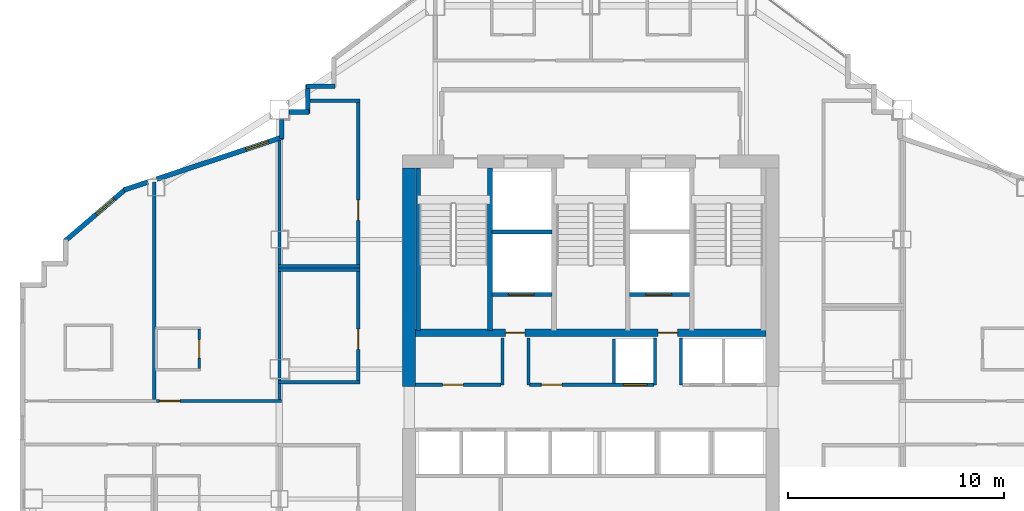
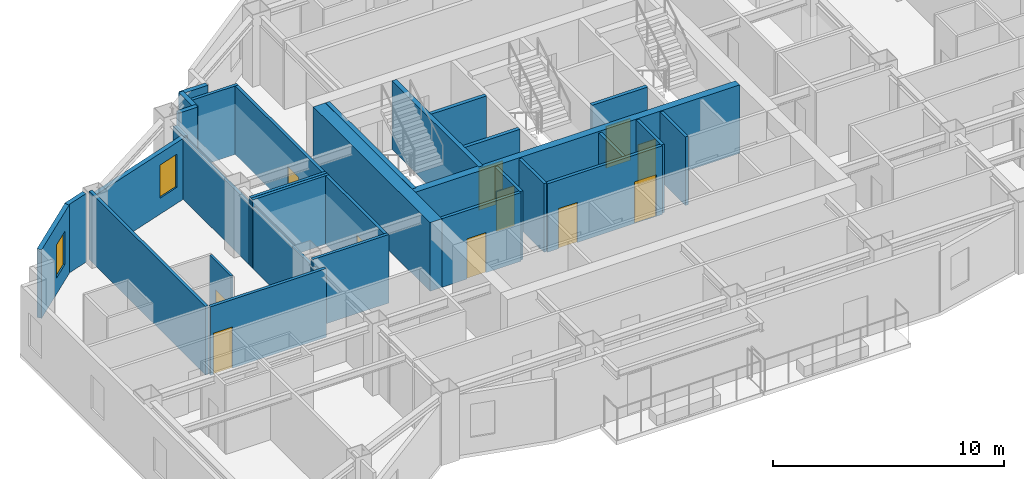
# One storey, part 6 of 12: 33 walls, 11 doors, 2 windows, 13 openings.
"""IFC4 building model written with IfcOpenShell, lengths in metres."""

from ifc_helpers import new_model, si_unit, direction, frame, frame_2d, origin, place, context, subcontext, project, spatial, rectangle, extrude, material, layer, layer_set, type_object, element, fill, save


model = new_model("IFC4")

# Units and contexts
model_context = context("Model", 3, precision=1e-05, world=origin(), true_north=direction((0.0, 1.0)))
body_context = subcontext(model_context, "Body", "Model", "MODEL_VIEW")
ifc_project = project(units=[si_unit("LENGTHUNIT", "METRE"), si_unit("AREAUNIT", "SQUARE_METRE"), si_unit("VOLUMEUNIT", "CUBIC_METRE"), si_unit("PLANEANGLEUNIT", "RADIAN"), si_unit("MASSUNIT", "GRAM", prefix="KILO")], contexts=[model_context])

# Site, building, storey
site_placement = place(None, origin())
site = spatial("IfcSite", under=ifc_project, at=site_placement, CompositionType="ELEMENT")
building_placement = place(site_placement, origin())
building = spatial("IfcBuilding", under=site, at=building_placement, Name="Haolan Belvedere Tower", CompositionType="ELEMENT")
storey_placement = place(building_placement, frame((0.0, 0.0, 169.0)))
storey = spatial("IfcBuildingStorey", under=building, at=storey_placement, Name="L42", CompositionType="ELEMENT", Elevation=169.0)

# Walls
ifc_material_1 = material(Name="Concrete C60/75", Category="concrete")
ifc_layer_1 = layer(ifc_material_1, 0.60009765625, Name="Concrete C60/75")
ifc_layer_set_1 = layer_set([ifc_layer_1], Name="Concrete C60/75")
wall_type_1 = type_object("IfcWallType", Name="WL-CORE-600", PredefinedType="SHEAR", material=ifc_layer_set_1)
wall_1_placement = place(storey_placement, frame((30.0, 32.800048828125, 0.0), z_axis=(0.0, 0.0, 1.0), x_axis=(0.0, 1.0, 0.0)))
element("IfcWall", 1, at=wall_1_placement, inside=storey, type_object=wall_type_1, Name="L42 central core shear wall WN", PredefinedType="SHEAR", context=body_context, shape_type="SweptSolid", body=[
    extrude(rectangle(XDim=10.099853515625, YDim=0.60009765625, at=frame_2d((5.0498046875, 0.0))), origin(), (0.0, 0.0, 1.0), 3.6201171875),
])
ifc_material_2 = material(Name="Precast concrete C40/50", Category="concrete")
ifc_layer_2 = layer(ifc_material_2, 0.219970703125, Name="Precast concrete C40/50")
ifc_layer_set_2 = layer_set([ifc_layer_2], Name="Precast concrete C40/50")
wall_type_2 = type_object("IfcWallType", Name="WL-EXT-220", PredefinedType="SOLIDWALL", material=ifc_layer_set_2)
for number, where, z_axis, x_axis, name in (
    (2, (26.56494140625, 46.68994140625, 0.0), (0.0, 0.0, 1.0), (-1.0, 0.0, 0.0), "L42 pale-metal exterior spandrel wall 25.1"),
    (3, (25.31005859375, 46.7451171875, 0.0), (0.0, 0.0, 1.0), (0.0, -1.0, 0.0), "L42 pale-metal exterior spandrel wall 26.1"),
):
    element("IfcWall", number, at=place(storey_placement, frame(where, z_axis=z_axis, x_axis=x_axis)), inside=storey, type_object=wall_type_2, Name=name, PredefinedType="SOLIDWALL", context=body_context, shape_type="SweptSolid", body=[
        extrude(rectangle(XDim=1.31005859375, YDim=0.219970703125, at=frame_2d((0.655029296875, 0.0))), origin(), (0.0, 0.0, 1.0), 3.6201171875),
    ])
wall_2_placement = place(storey_placement, frame((25.364990234375, 45.489990234375, 0.0), z_axis=(0.0, 0.0, 1.0), x_axis=(-1.0, 0.0, 0.0)))
element("IfcWall", 4, at=wall_2_placement, inside=storey, type_object=wall_type_2, Name="L42 pale-metal exterior spandrel wall 27.1", PredefinedType="SOLIDWALL", context=body_context, shape_type="SweptSolid", body=[
    extrude(rectangle(XDim=0.923095703125, YDim=0.219970703125, at=frame_2d((0.46142578125, 0.0))), origin(), (0.0, 0.0, 1.0), 3.6201171875),
])
wall_3_placement = place(storey_placement, frame((24.110107421875, 45.157958984375, 0.0), z_axis=(0.0, 0.0, 1.0), x_axis=(0.0, -1.0, 0.0)))
element("IfcWall", 5, at=wall_3_placement, inside=storey, type_object=wall_type_2, Name="L42 pale-metal exterior spandrel wall 28.1", PredefinedType="SOLIDWALL", context=body_context, shape_type="SweptSolid", body=[
    extrude(rectangle(XDim=0.892333984375, YDim=0.219970703125, at=frame_2d((0.4462890625, 0.0))), origin(), (0.0, 0.0, 1.0), 3.215087890625),
])

# Wall, opening, window
wall_4_placement = place(storey_placement, frame((24.162109375, 44.338134765625, 0.0), z_axis=(0.0, 0.0, 1.0), x_axis=(-0.948687265055, -0.316215864755, 0.0)))
wall_4 = element("IfcWall", 6, at=wall_4_placement, inside=storey, type_object=wall_type_2, Name="L42 pale-metal exterior spandrel wall 29.1", PredefinedType="SOLIDWALL", context=body_context, shape_type="SweptSolid", body=[
    extrude(rectangle(XDim=6.154052734375, YDim=0.219970703125, at=frame_2d((3.0771484375, 0.0))), origin(), (0.0, 0.0, 1.0), 3.215087890625),
])
opening_1_placement = place(wall_4_placement, frame((0.699951171875, 0.0, 0.85009765625)))
opening_1 = element("IfcOpeningElement", 7, at=opening_1_placement, cuts=wall_4, Name="Opening W-03", PredefinedType="OPENING", context=body_context, shape_type="SweptSolid", body=[
    extrude(rectangle(XDim=1.10009765625, YDim=1.75, at=frame_2d((0.550048828125, 0.875))), frame((0.0, 0.119873046875, 0.0), z_axis=(0.0, -1.0, 0.0), x_axis=(1.0, 0.0, 0.0)), (0.0, 0.0, 1.0), 0.239990234375),
])
ifc_material_3 = material(Name="Anodised aluminium 6063-T6 and Low-E glass", Category="aluminium")
window_type = type_object("IfcWindowType", Name="WN-DECO-Z3", PartitioningType="SINGLE_PANEL", PredefinedType="WINDOW", material=ifc_material_3)
window_1_placement = place(opening_1_placement, origin())
window_1 = element("IfcWindow", 8, at=window_1_placement, inside=storey, type_object=window_type, Name="L42 Art Deco chevron window 1", OverallHeight=1.75, OverallWidth=1.10009765625, PartitioningType="SINGLE_PANEL", PredefinedType="WINDOW", context=body_context, shape_type="SweptSolid", body=[
    extrude(rectangle(XDim=1.10009765625, YDim=1.75, at=frame_2d((0.550048828125, 0.875))), frame((0.0, 0.030029296875, 0.0), z_axis=(0.0, -1.0, 0.0), x_axis=(1.0, 0.0, 0.0)), (0.0, 0.0, 1.0), 0.06005859375),
])
fill(opening_1, window_1)

# Wall
wall_5_placement = place(storey_placement, frame((17.907958984375, 42.25341796875, 0.0), z_axis=(0.0, 0.0, 1.0), x_axis=(-0.948662335685, -0.316290646166, 0.0)))
element("IfcWall", 9, at=wall_5_placement, inside=storey, type_object=wall_type_2, Name="L42 pale-metal exterior spandrel wall 29.2", PredefinedType="SOLIDWALL", context=body_context, shape_type="SweptSolid", body=[
    extrude(rectangle(XDim=1.164794921875, YDim=0.219970703125, at=frame_2d((0.58251953125, 0.0))), origin(), (0.0, 0.0, 1.0), 3.6201171875),
])

# Wall, opening, window
wall_6_placement = place(storey_placement, frame((16.89697265625, 41.938232421875, 0.0), z_axis=(0.0, 0.0, 1.0), x_axis=(-0.759279729622, -0.650764390686, 0.0)))
wall_6 = element("IfcWall", 10, at=wall_6_placement, inside=storey, type_object=wall_type_2, Name="L42 pale-metal exterior spandrel wall 30.1", PredefinedType="SOLIDWALL", context=body_context, shape_type="SweptSolid", body=[
    extrude(rectangle(XDim=3.725830078125, YDim=0.219970703125, at=frame_2d((1.86279296875, 0.0))), origin(), (0.0, 0.0, 1.0), 3.6201171875),
])
opening_2_placement = place(wall_6_placement, frame((0.699951171875, 0.0, 0.85009765625)))
opening_2 = element("IfcOpeningElement", 11, at=opening_2_placement, cuts=wall_6, Name="Opening W-03", PredefinedType="OPENING", context=body_context, shape_type="SweptSolid", body=[
    extrude(rectangle(XDim=1.10009765625, YDim=1.75, at=frame_2d((0.550048828125, 0.875))), frame((0.0, 0.119873046875, 0.0), z_axis=(0.0, -1.0, 0.0), x_axis=(1.0, 0.0, 0.0)), (0.0, 0.0, 1.0), 0.239990234375),
])
window_2_placement = place(opening_2_placement, origin())
window_2 = element("IfcWindow", 12, at=window_2_placement, inside=storey, type_object=window_type, Name="L42 Art Deco chevron window 1", OverallHeight=1.75, OverallWidth=1.10009765625, PartitioningType="SINGLE_PANEL", PredefinedType="WINDOW", context=body_context, shape_type="SweptSolid", body=[
    extrude(rectangle(XDim=1.10009765625, YDim=1.75, at=frame_2d((0.550048828125, 0.875))), frame((0.0, 0.030029296875, 0.0), z_axis=(0.0, -1.0, 0.0), x_axis=(1.0, 0.0, 0.0)), (0.0, 0.0, 1.0), 0.06005859375),
])
fill(opening_2, window_2)

# Walls
ifc_material_4 = material(Name="Double gypsum acoustic stud partition", Category="masonry")
ifc_layer_3 = layer(ifc_material_4, 0.14990234375, Name="Double gypsum acoustic stud partition")
ifc_layer_set_3 = layer_set([ifc_layer_3], Name="Double gypsum acoustic stud partition")
wall_type_3 = type_object("IfcWallType", Name="WL-PART-150", PredefinedType="PARTITIONING", material=ifc_layer_set_3)
for number, where, z_axis, x_axis, name in (
    (13, (23.919921875, 38.199951171875, 0.0), (0.0, 0.0, 1.0), (1.0, 0.0, 0.0), "L42 interior partition IW-L42-HSK-N"),
    (14, (23.919921875, 33.0, 0.0), (0.0, 0.0, 1.0), (1.0, 0.0, 0.0), "L42 interior partition IW-L42-HSK-S"),
):
    element("IfcWall", number, at=place(storey_placement, frame(where, z_axis=z_axis, x_axis=x_axis)), inside=storey, type_object=wall_type_3, Name=name, PredefinedType="PARTITIONING", context=body_context, shape_type="SweptSolid", body=[
        extrude(rectangle(XDim=3.800048828125, YDim=0.14990234375, at=frame_2d((1.89990234375, 0.0))), origin(), (0.0, 0.0, 1.0), 3.6201171875),
    ])
wall_7_placement = place(storey_placement, frame((24.0, 33.06005859375, 0.0), z_axis=(0.0, 0.0, 1.0), x_axis=(0.0, 1.0, 0.0)))
element("IfcWall", 15, at=wall_7_placement, inside=storey, type_object=wall_type_3, Name="L42 interior partition IW-L42-HSK-W", PredefinedType="PARTITIONING", context=body_context, shape_type="SweptSolid", body=[
    extrude(rectangle(XDim=5.079833984375, YDim=0.14990234375, at=frame_2d((2.5400390625, 0.0))), origin(), (0.0, 0.0, 1.0), 3.215087890625),
])

# Wall, opening, door
wall_8_placement = place(storey_placement, frame((27.639892578125, 33.06005859375, 0.0), z_axis=(0.0, 0.0, 1.0), x_axis=(0.0, 1.0, 0.0)))
wall_8 = element("IfcWall", 16, at=wall_8_placement, inside=storey, type_object=wall_type_3, Name="L42 interior partition IW-L42-HSK-E", PredefinedType="PARTITIONING", context=body_context, shape_type="SweptSolid", body=[
    extrude(rectangle(XDim=5.079833984375, YDim=0.14990234375, at=frame_2d((2.5400390625, 0.0))), origin(), (0.0, 0.0, 1.0), 3.6201171875),
])
opening_3_placement = place(wall_8_placement, frame((2.409912109375, 0.0, 0.0), z_axis=(0.0, 0.0, 1.0), x_axis=(-1.0, 0.0, 0.0)))
opening_3 = element("IfcOpeningElement", 17, at=opening_3_placement, cuts=wall_8, Name="Opening ID-03", PredefinedType="OPENING", context=body_context, shape_type="SweptSolid", body=[
    extrude(rectangle(XDim=0.949951171875, YDim=2.1201171875, at=frame_2d((0.47509765625, 1.06005859375))), frame((0.0, 0.0849609375, 0.0), z_axis=(0.0, -1.0, 0.0), x_axis=(1.0, 0.0, 0.0)), (0.0, 0.0, 1.0), 0.169921875),
])
ifc_material_5 = material(Name="Painted solid-core timber", Category="wood")
door_type_1 = type_object("IfcDoorType", Name="DR-INT-950", OperationType="NOTDEFINED", PredefinedType="DOOR", material=ifc_material_5)
door_1_placement = place(opening_3_placement, origin())
door_1 = element("IfcDoor", 18, at=door_1_placement, inside=storey, type_object=door_type_1, Name="L42 door ID-L42-HSK", OperationType="SINGLE_SWING_LEFT", OverallHeight=2.1201171875, OverallWidth=0.949951171875, PredefinedType="DOOR", context=body_context, shape_type="SweptSolid", body=[
    extrude(rectangle(XDim=0.949951171875, YDim=2.1201171875, at=frame_2d((0.47509765625, 1.06005859375))), frame((0.0, 0.02490234375, 0.0), z_axis=(0.0, -1.0, 0.0), x_axis=(1.0, 0.0, 0.0)), (0.0, 0.0, 1.0), 0.050048828125),
])
fill(opening_3, door_1)

# Walls
wall_9_placement = place(storey_placement, frame((25.412109375, 46.02001953125, 0.0), z_axis=(0.0, 0.0, 1.0), x_axis=(1.0, 0.0, 0.0)))
element("IfcWall", 19, at=wall_9_placement, inside=storey, type_object=wall_type_3, Name="L42 interior partition IW-L42-VLT-N", PredefinedType="PARTITIONING", context=body_context, shape_type="SweptSolid", body=[
    extrude(rectangle(XDim=2.307861328125, YDim=0.14990234375, at=frame_2d((1.15380859375, 0.0))), origin(), (0.0, 0.0, 1.0), 3.6201171875),
])
wall_10_placement = place(storey_placement, frame((23.919921875, 38.360107421875, 0.0), z_axis=(0.0, 0.0, 1.0), x_axis=(1.0, 0.0, 0.0)))
element("IfcWall", 20, at=wall_10_placement, inside=storey, type_object=wall_type_3, Name="L42 interior partition IW-L42-VLT-S", PredefinedType="PARTITIONING", context=body_context, shape_type="SweptSolid", body=[
    extrude(rectangle(XDim=3.800048828125, YDim=0.14990234375, at=frame_2d((1.89990234375, 0.0))), origin(), (0.0, 0.0, 1.0), 3.6201171875),
])
wall_11_placement = place(storey_placement, frame((24.0, 38.419921875, 0.0), z_axis=(0.0, 0.0, 1.0), x_axis=(0.0, 1.0, 0.0)))
element("IfcWall", 21, at=wall_11_placement, inside=storey, type_object=wall_type_3, Name="L42 interior partition IW-L42-VLT-W", PredefinedType="PARTITIONING", context=body_context, shape_type="SweptSolid", body=[
    extrude(rectangle(XDim=5.756591796875, YDim=0.14990234375, at=frame_2d((2.87841796875, 0.0))), origin(), (0.0, 0.0, 1.0), 3.215087890625),
])

# Wall, opening, door
wall_12_placement = place(storey_placement, frame((27.639892578125, 38.419921875, 0.0), z_axis=(0.0, 0.0, 1.0), x_axis=(0.0, 1.0, 0.0)))
wall_12 = element("IfcWall", 22, at=wall_12_placement, inside=storey, type_object=wall_type_3, Name="L42 interior partition IW-L42-VLT-E", PredefinedType="PARTITIONING", context=body_context, shape_type="SweptSolid", body=[
    extrude(rectangle(XDim=7.5400390625, YDim=0.14990234375, at=frame_2d((3.77001953125, 0.0))), origin(), (0.0, 0.0, 1.0), 3.6201171875),
])
opening_4_placement = place(wall_12_placement, frame((3.010009765625, 0.0, 0.0), z_axis=(0.0, 0.0, 1.0), x_axis=(-1.0, 0.0, 0.0)))
opening_4 = element("IfcOpeningElement", 23, at=opening_4_placement, cuts=wall_12, Name="Opening ID-03", PredefinedType="OPENING", context=body_context, shape_type="SweptSolid", body=[
    extrude(rectangle(XDim=0.949951171875, YDim=2.1201171875, at=frame_2d((0.47509765625, 1.06005859375))), frame((0.0, 0.0849609375, 0.0), z_axis=(0.0, -1.0, 0.0), x_axis=(1.0, 0.0, 0.0)), (0.0, 0.0, 1.0), 0.169921875),
])
door_2_placement = place(opening_4_placement, origin())
door_2 = element("IfcDoor", 24, at=door_2_placement, inside=storey, type_object=door_type_1, Name="L42 door ID-L42-VLT", OperationType="SINGLE_SWING_RIGHT", OverallHeight=2.1201171875, OverallWidth=0.949951171875, PredefinedType="DOOR", context=body_context, shape_type="SweptSolid", body=[
    extrude(rectangle(XDim=0.949951171875, YDim=2.1201171875, at=frame_2d((0.47509765625, 1.06005859375))), frame((0.0, 0.02490234375, 0.0), z_axis=(0.0, -1.0, 0.0), x_axis=(1.0, 0.0, 0.0)), (0.0, 0.0, 1.0), 0.050048828125),
])
fill(opening_4, door_2)

# Wall
wall_13_placement = place(storey_placement, frame((18.2099609375, 32.18994140625, 0.0), z_axis=(0.0, 0.0, 1.0), x_axis=(0.0, 1.0, 0.0)))
element("IfcWall", 25, at=wall_13_placement, inside=storey, type_object=wall_type_3, Name="L42 interior partition IW-L42-T2N1-E", PredefinedType="PARTITIONING", context=body_context, shape_type="SweptSolid", body=[
    extrude(rectangle(XDim=10.056640625, YDim=0.14990234375, at=frame_2d((5.0283203125, 0.0))), origin(), (0.0, 0.0, 1.0), 3.6201171875),
])

# Wall, opening, door
wall_14_placement = place(storey_placement, frame((18.31201171875, 32.1298828125, 0.0), z_axis=(0.0, 0.0, 1.0), x_axis=(1.0, 0.0, 0.0)))
wall_14 = element("IfcWall", 26, at=wall_14_placement, inside=storey, type_object=wall_type_3, Name="L42 interior partition IW-L42-T2N2-S", PredefinedType="PARTITIONING", context=body_context, shape_type="SweptSolid", body=[
    extrude(rectangle(XDim=5.7880859375, YDim=0.14990234375, at=frame_2d((2.89404296875, 0.0))), origin(), (0.0, 0.0, 1.0), 3.6201171875),
])
opening_5_placement = place(wall_14_placement, frame((0.139892578125, 0.0, 0.0)))
opening_5 = element("IfcOpeningElement", 27, at=opening_5_placement, cuts=wall_14, Name="Opening ID-01", PredefinedType="OPENING", context=body_context, shape_type="SweptSolid", body=[
    extrude(rectangle(XDim=0.949951171875, YDim=2.179931640625, at=frame_2d((0.47509765625, 1.08984375))), frame((0.0, 0.0849609375, 0.0), z_axis=(0.0, -1.0, 0.0), x_axis=(1.0, 0.0, 0.0)), (0.0, 0.0, 1.0), 0.169921875),
])
ifc_material_6 = material(Name="Acoustic walnut veneer fire-rated timber", Category="wood")
door_type_2 = type_object("IfcDoorType", Name="DR-SUITE-950", OperationType="NOTDEFINED", PredefinedType="DOOR", material=ifc_material_6)
door_3_placement = place(opening_5_placement, origin())
door_3 = element("IfcDoor", 28, at=door_3_placement, inside=storey, type_object=door_type_2, Name="L42 door ID-L42-T2N2-ENT", OperationType="SINGLE_SWING_LEFT", OverallHeight=2.179931640625, OverallWidth=0.949951171875, PredefinedType="DOOR", context=body_context, shape_type="SweptSolid", body=[
    extrude(rectangle(XDim=0.949951171875, YDim=2.179931640625, at=frame_2d((0.47509765625, 1.08984375))), frame((0.0, 0.02490234375, 0.0), z_axis=(0.0, -1.0, 0.0), x_axis=(1.0, 0.0, 0.0)), (0.0, 0.0, 1.0), 0.050048828125),
])
fill(opening_5, door_3)

# Walls
wall_15_placement = place(storey_placement, frame((24.0, 32.18994140625, 0.0), z_axis=(0.0, 0.0, 1.0), x_axis=(0.0, 1.0, 0.0)))
element("IfcWall", 29, at=wall_15_placement, inside=storey, type_object=wall_type_3, Name="L42 interior partition IW-L42-T2N2-E", PredefinedType="PARTITIONING", context=body_context, shape_type="SweptSolid", body=[
    extrude(rectangle(XDim=0.75, YDim=0.14990234375, at=frame_2d((0.375, 0.0))), origin(), (0.0, 0.0, 1.0), 3.215087890625),
])
ifc_material_7 = material(Name="Gypsum fire shaftwall assembly", Category="masonry")
ifc_layer_4 = layer(ifc_material_7, 0.1650390625, Name="Gypsum fire shaftwall assembly")
ifc_layer_set_4 = layer_set([ifc_layer_4], Name="Gypsum fire shaftwall assembly")
wall_type_4 = type_object("IfcWallType", Name="WL-SHAFT-160", PredefinedType="SOLIDWALL", material=ifc_layer_set_4)
for number, where, z_axis, x_axis, name in (
    (30, (34.31005859375, 32.8798828125, 0.0), (0.0, 0.0, 1.0), (0.0, 1.0, 0.0), "L42 interior partition IW-L42-SVP-W-SV1"),
    (31, (35.510009765625, 32.8798828125, 0.0), (0.0, 0.0, 1.0), (0.0, 1.0, 0.0), "L42 interior partition IW-L42-SVP-E-SV1"),
    (32, (41.3701171875, 32.8798828125, 0.0), (0.0, 0.0, 1.0), (0.0, 1.0, 0.0), "L42 interior partition IW-L42-SVP-W-SV2"),
    (33, (42.570068359375, 32.8798828125, 0.0), (0.0, 0.0, 1.0), (0.0, 1.0, 0.0), "L42 interior partition IW-L42-SVP-E-SV2"),
):
    element("IfcWall", number, at=place(storey_placement, frame(where, z_axis=z_axis, x_axis=x_axis)), inside=storey, type_object=wall_type_4, Name=name, PredefinedType="SOLIDWALL", context=body_context, shape_type="SweptSolid", body=[
        extrude(rectangle(XDim=2.170166015625, YDim=0.14990234375, at=frame_2d((1.0849609375, 0.0))), origin(), (0.0, 0.0, 1.0), 3.6201171875),
    ])

# Wall, opening, door
wall_16_placement = place(storey_placement, frame((30.300048828125, 32.8798828125, 0.0), z_axis=(0.0, 0.0, 1.0), x_axis=(1.0, 0.0, 0.0)))
wall_16 = element("IfcWall", 34, at=wall_16_placement, inside=storey, type_object=wall_type_4, Name="L42 interior partition IW-L42-ROW-PN1", PredefinedType="SOLIDWALL", context=body_context, shape_type="SweptSolid", body=[
    extrude(rectangle(XDim=3.949951171875, YDim=0.159912109375, at=frame_2d((1.97509765625, 0.0))), origin(), (0.0, 0.0, 1.0), 3.6201171875),
])
opening_6_placement = place(wall_16_placement, frame((2.199951171875, 0.0, 0.0), z_axis=(0.0, 0.0, 1.0), x_axis=(-1.0, 0.0, 0.0)))
opening_6 = element("IfcOpeningElement", 35, at=opening_6_placement, cuts=wall_16, Name="Opening ID-03", PredefinedType="OPENING", context=body_context, shape_type="SweptSolid", body=[
    extrude(rectangle(XDim=0.949951171875, YDim=2.1201171875, at=frame_2d((0.47509765625, 1.06005859375))), frame((0.0, 0.08984375, 0.0), z_axis=(0.0, -1.0, 0.0), x_axis=(1.0, 0.0, 0.0)), (0.0, 0.0, 1.0), 0.179931640625),
])
door_4_placement = place(opening_6_placement, origin())
door_4 = element("IfcDoor", 36, at=door_4_placement, inside=storey, type_object=door_type_1, Name="L42 door ID-L42-CD-RPLW", OperationType="SINGLE_SWING_LEFT", OverallHeight=2.1201171875, OverallWidth=0.949951171875, PredefinedType="DOOR", context=body_context, shape_type="SweptSolid", body=[
    extrude(rectangle(XDim=0.949951171875, YDim=2.1201171875, at=frame_2d((0.47509765625, 1.06005859375))), frame((0.0, 0.02490234375, 0.0), z_axis=(0.0, -1.0, 0.0), x_axis=(1.0, 0.0, 0.0)), (0.0, 0.0, 1.0), 0.050048828125),
])
fill(opening_6, door_4)

# Wall, openings, doors
wall_17_placement = place(storey_placement, frame((35.570068359375, 32.8798828125, 0.0), z_axis=(0.0, 0.0, 1.0), x_axis=(1.0, 0.0, 0.0)))
wall_17 = element("IfcWall", 37, at=wall_17_placement, inside=storey, type_object=wall_type_4, Name="L42 interior partition IW-L42-ROW-PN2", PredefinedType="SOLIDWALL", context=body_context, shape_type="SweptSolid", body=[
    extrude(rectangle(XDim=5.739990234375, YDim=0.159912109375, at=frame_2d((2.8701171875, 0.0))), origin(), (0.0, 0.0, 1.0), 3.6201171875),
])
opening_7_placement = place(wall_17_placement, frame((1.489990234375, 0.0, 0.0), z_axis=(0.0, 0.0, 1.0), x_axis=(-1.0, 0.0, 0.0)))
opening_7 = element("IfcOpeningElement", 38, at=opening_7_placement, cuts=wall_17, Name="Opening ID-03", PredefinedType="OPENING", context=body_context, shape_type="SweptSolid", body=[
    extrude(rectangle(XDim=0.949951171875, YDim=2.1201171875, at=frame_2d((0.47509765625, 1.06005859375))), frame((0.0, 0.08984375, 0.0), z_axis=(0.0, -1.0, 0.0), x_axis=(1.0, 0.0, 0.0)), (0.0, 0.0, 1.0), 0.179931640625),
])
opening_8_placement = place(wall_17_placement, frame((5.43017578125, 0.0, 0.0), z_axis=(0.0, 0.0, 1.0), x_axis=(-1.0, 0.0, 0.0)))
opening_8 = element("IfcOpeningElement", 39, at=opening_8_placement, cuts=wall_17, Name="Opening LD-01", PredefinedType="OPENING", context=body_context, shape_type="SweptSolid", body=[
    extrude(rectangle(XDim=1.10009765625, YDim=2.199951171875, at=frame_2d((0.550048828125, 1.10009765625))), frame((0.0, 0.08984375, 0.0), z_axis=(0.0, -1.0, 0.0), x_axis=(1.0, 0.0, 0.0)), (0.0, 0.0, 1.0), 0.179931640625),
])
door_5_placement = place(opening_7_placement, origin())
door_5 = element("IfcDoor", 40, at=door_5_placement, inside=storey, type_object=door_type_1, Name="L42 door ID-L42-CD-RPLE", OperationType="SINGLE_SWING_RIGHT", OverallHeight=2.1201171875, OverallWidth=0.949951171875, PredefinedType="DOOR", context=body_context, shape_type="SweptSolid", body=[
    extrude(rectangle(XDim=0.949951171875, YDim=2.1201171875, at=frame_2d((0.47509765625, 1.06005859375))), frame((0.0, 0.02490234375, 0.0), z_axis=(0.0, -1.0, 0.0), x_axis=(1.0, 0.0, 0.0)), (0.0, 0.0, 1.0), 0.050048828125),
])
fill(opening_7, door_5)
ifc_material_8 = material(Name="Brushed champagne stainless steel 316L", Category="steel")
door_type_3 = type_object("IfcDoorType", Name="DR-LIFT-1100", OperationType="SLIDING_TO_LEFT", PredefinedType="DOOR", material=ifc_material_8)
door_6_placement = place(opening_8_placement, origin())
door_6 = element("IfcDoor", 41, at=door_6_placement, inside=storey, type_object=door_type_3, Name="L42 door ID-L42-LD-PH1", OperationType="SLIDING_TO_RIGHT", OverallHeight=2.199951171875, OverallWidth=1.10009765625, PredefinedType="DOOR", context=body_context, shape_type="SweptSolid", body=[
    extrude(rectangle(XDim=1.10009765625, YDim=2.199951171875, at=frame_2d((0.550048828125, 1.10009765625))), frame((0.0, 0.02490234375, 0.0), z_axis=(0.0, -1.0, 0.0), x_axis=(1.0, 0.0, 0.0)), (0.0, 0.0, 1.0), 0.050048828125),
])
fill(opening_8, door_6)

# Walls
wall_18_placement = place(storey_placement, frame((39.469970703125, 32.949951171875, 0.0), z_axis=(0.0, 0.0, 1.0), x_axis=(0.0, 1.0, 0.0)))
element("IfcWall", 42, at=wall_18_placement, inside=storey, type_object=wall_type_4, Name="L42 interior partition IW-L42-DIV-PL4R", PredefinedType="SOLIDWALL", context=body_context, shape_type="SweptSolid", body=[
    extrude(rectangle(XDim=2.050048828125, YDim=0.14990234375, at=frame_2d((1.02490234375, 0.0))), origin(), (0.0, 0.0, 1.0), 3.6201171875),
])
ifc_layer_5 = layer(ifc_material_2, 0.179931640625, Name="Precast concrete C40/50")
ifc_layer_set_5 = layer_set([ifc_layer_5], Name="Precast concrete C40/50")
wall_type_5 = type_object("IfcWallType", Name="WL-SHAFT-180", PredefinedType="SOLIDWALL", material=ifc_layer_set_5)
wall_19_placement = place(storey_placement, frame((33.8349609375, 39.949951171875, 0.0), z_axis=(0.0, 0.0, 1.0), x_axis=(1.0, 0.0, 0.0)))
element("IfcWall", 43, at=wall_19_placement, inside=storey, type_object=wall_type_5, Name="L42 interior partition IW-L42-FF1-S", PredefinedType="SOLIDWALL", context=body_context, shape_type="SweptSolid", body=[
    extrude(rectangle(XDim=2.77001953125, YDim=0.179931640625, at=frame_2d((1.385009765625, 0.0))), origin(), (0.0, 0.0, 1.0), 3.6201171875),
])

# Wall, opening, door
wall_20_placement = place(storey_placement, frame((33.8349609375, 37.050048828125, 0.0), z_axis=(0.0, 0.0, 1.0), x_axis=(1.0, 0.0, 0.0)))
wall_20 = element("IfcWall", 44, at=wall_20_placement, inside=storey, type_object=wall_type_5, Name="L42 interior partition IW-L42-SV1-S", PredefinedType="SOLIDWALL", context=body_context, shape_type="SweptSolid", body=[
    extrude(rectangle(XDim=2.77001953125, YDim=0.179931640625, at=frame_2d((1.385009765625, 0.0))), origin(), (0.0, 0.0, 1.0), 3.6201171875),
])
opening_9_placement = place(wall_20_placement, frame((1.945068359375, 0.0, 0.0), z_axis=(0.0, 0.0, 1.0), x_axis=(-1.0, 0.0, 0.0)))
opening_9 = element("IfcOpeningElement", 45, at=opening_9_placement, cuts=wall_20, Name="Opening LD-02", PredefinedType="OPENING", context=body_context, shape_type="SweptSolid", body=[
    extrude(rectangle(XDim=1.199951171875, YDim=2.199951171875, at=frame_2d((0.60009765625, 1.10009765625))), frame((0.0, 0.099853515625, 0.0), z_axis=(0.0, -1.0, 0.0), x_axis=(1.0, 0.0, 0.0)), (0.0, 0.0, 1.0), 0.199951171875),
])
door_type_4 = type_object("IfcDoorType", Name="DR-LIFT-1200", OperationType="SLIDING_TO_RIGHT", PredefinedType="DOOR", material=ifc_material_8)
door_7_placement = place(opening_9_placement, origin())
door_7 = element("IfcDoor", 46, at=door_7_placement, inside=storey, type_object=door_type_4, Name="L42 door ID-L42-LD-SV1", OperationType="SLIDING_TO_RIGHT", OverallHeight=2.199951171875, OverallWidth=1.199951171875, PredefinedType="DOOR", context=body_context, shape_type="SweptSolid", body=[
    extrude(rectangle(XDim=1.199951171875, YDim=2.199951171875, at=frame_2d((0.60009765625, 1.10009765625))), frame((0.0, 0.02490234375, 0.0), z_axis=(0.0, -1.0, 0.0), x_axis=(1.0, 0.0, 0.0)), (0.0, 0.0, 1.0), 0.050048828125),
])
fill(opening_9, door_7)

wall_21_placement = place(storey_placement, frame((40.195068359375, 37.050048828125, 0.0), z_axis=(0.0, 0.0, 1.0), x_axis=(1.0, 0.0, 0.0)))
wall_21 = element("IfcWall", 47, at=wall_21_placement, inside=storey, type_object=wall_type_5, Name="L42 interior partition IW-L42-SV2-S", PredefinedType="SOLIDWALL", context=body_context, shape_type="SweptSolid", body=[
    extrude(rectangle(XDim=2.77001953125, YDim=0.179931640625, at=frame_2d((1.385009765625, 0.0))), origin(), (0.0, 0.0, 1.0), 3.6201171875),
])
opening_10_placement = place(wall_21_placement, frame((1.945068359375, 0.0, 0.0), z_axis=(0.0, 0.0, 1.0), x_axis=(-1.0, 0.0, 0.0)))
opening_10 = element("IfcOpeningElement", 48, at=opening_10_placement, cuts=wall_21, Name="Opening LD-02", PredefinedType="OPENING", context=body_context, shape_type="SweptSolid", body=[
    extrude(rectangle(XDim=1.199951171875, YDim=2.199951171875, at=frame_2d((0.60009765625, 1.10009765625))), frame((0.0, 0.099853515625, 0.0), z_axis=(0.0, -1.0, 0.0), x_axis=(1.0, 0.0, 0.0)), (0.0, 0.0, 1.0), 0.199951171875),
])
door_8_placement = place(opening_10_placement, origin())
door_8 = element("IfcDoor", 49, at=door_8_placement, inside=storey, type_object=door_type_4, Name="L42 door ID-L42-LD-SV2", OperationType="SLIDING_TO_RIGHT", OverallHeight=2.199951171875, OverallWidth=1.199951171875, PredefinedType="DOOR", context=body_context, shape_type="SweptSolid", body=[
    extrude(rectangle(XDim=1.199951171875, YDim=2.199951171875, at=frame_2d((0.60009765625, 1.10009765625))), frame((0.0, 0.02490234375, 0.0), z_axis=(0.0, -1.0, 0.0), x_axis=(1.0, 0.0, 0.0)), (0.0, 0.0, 1.0), 0.050048828125),
])
fill(opening_10, door_8)

# Walls
ifc_material_9 = material(Name="Concrete C50/60", Category="concrete")
ifc_layer_6 = layer(ifc_material_9, 0.219970703125, Name="Concrete C50/60")
ifc_layer_set_6 = layer_set([ifc_layer_6], Name="Concrete C50/60")
wall_type_6 = type_object("IfcWallType", Name="WL-STAIR-220", PredefinedType="SHEAR", material=ifc_layer_set_6)
for number, where, z_axis, x_axis, name in (
    (50, (30.412109375, 35.389892578125, 0.0), (0.0, 0.0, 1.0), (0.0, 1.0, 0.0), "L42 structural stair core wall ST1W"),
    (51, (33.739990234375, 35.389892578125, 0.0), (0.0, 0.0, 1.0), (0.0, 1.0, 0.0), "L42 structural stair core wall ST1E"),
):
    element("IfcWall", number, at=place(storey_placement, frame(where, z_axis=z_axis, x_axis=x_axis)), inside=storey, type_object=wall_type_6, Name=name, PredefinedType="SHEAR", context=body_context, shape_type="SweptSolid", body=[
        extrude(rectangle(XDim=7.510009765625, YDim=0.219970703125, at=frame_2d((3.7548828125, 0.0))), origin(), (0.0, 0.0, 1.0), 3.6201171875),
    ])

# Wall, openings, doors
ifc_layer_7 = layer(ifc_material_1, 0.360107421875, Name="Concrete C60/75")
ifc_layer_set_7 = layer_set([ifc_layer_7], Name="Concrete C60/75")
wall_type_7 = type_object("IfcWallType", Name="WL-WEB-350", PredefinedType="SHEAR", material=ifc_layer_set_7)
wall_22_placement = place(storey_placement, frame((30.300048828125, 35.2900390625, 0.0), z_axis=(0.0, 0.0, 1.0), x_axis=(1.0, 0.0, 0.0)))
wall_22 = element("IfcWall", 52, at=wall_22_placement, inside=storey, type_object=wall_type_7, Name="L42 central core internal shear web", PredefinedType="SHEAR", context=body_context, shape_type="SweptSolid", body=[
    extrude(rectangle(XDim=16.199951171875, YDim=0.360107421875, at=frame_2d((8.10009765625, 0.0))), origin(), (0.0, 0.0, 1.0), 3.6201171875),
])
opening_11_placement = place(wall_22_placement, frame((5.0498046875, 0.0, 0.0), z_axis=(0.0, 0.0, 1.0), x_axis=(-1.0, 0.0, 0.0)))
opening_11 = element("IfcOpeningElement", 53, at=opening_11_placement, cuts=wall_22, Name="Opening FD-05", PredefinedType="OPENING", context=body_context, shape_type="SweptSolid", body=[
    extrude(rectangle(XDim=0.89990234375, YDim=2.10009765625, at=frame_2d((0.449951171875, 1.050048828125))), frame((0.0, 0.18994140625, 0.0), z_axis=(0.0, -1.0, 0.0), x_axis=(1.0, 0.0, 0.0)), (0.0, 0.0, 1.0), 0.380126953125),
])
opening_12_placement = place(wall_22_placement, frame((12.10986328125, 0.0, 0.0), z_axis=(0.0, 0.0, 1.0), x_axis=(-1.0, 0.0, 0.0)))
opening_12 = element("IfcOpeningElement", 54, at=opening_12_placement, cuts=wall_22, Name="Opening FD-05", PredefinedType="OPENING", context=body_context, shape_type="SweptSolid", body=[
    extrude(rectangle(XDim=0.89990234375, YDim=2.10009765625, at=frame_2d((0.449951171875, 1.050048828125))), frame((0.0, 0.18994140625, 0.0), z_axis=(0.0, -1.0, 0.0), x_axis=(1.0, 0.0, 0.0)), (0.0, 0.0, 1.0), 0.380126953125),
])
ifc_material_10 = material(Name="Galvanised fire-rated steel", Category="steel")
door_type_5 = type_object("IfcDoorType", Name="DR-FD60-900", OperationType="NOTDEFINED", PredefinedType="DOOR", material=ifc_material_10)
door_9_placement = place(opening_11_placement, origin())
door_9 = element("IfcDoor", 55, at=door_9_placement, inside=storey, type_object=door_type_5, Name="L42 door CD-L42-SVL-SV1", OperationType="SINGLE_SWING_RIGHT", OverallHeight=2.10009765625, OverallWidth=0.89990234375, PredefinedType="DOOR", context=body_context, shape_type="SweptSolid", body=[
    extrude(rectangle(XDim=0.89990234375, YDim=2.10009765625, at=frame_2d((0.449951171875, 1.050048828125))), frame((0.0, 0.02490234375, 0.0), z_axis=(0.0, -1.0, 0.0), x_axis=(1.0, 0.0, 0.0)), (0.0, 0.0, 1.0), 0.050048828125),
])
fill(opening_11, door_9)
door_10_placement = place(opening_12_placement, origin())
door_10 = element("IfcDoor", 56, at=door_10_placement, inside=storey, type_object=door_type_5, Name="L42 door CD-L42-SVL-SV2", OperationType="SINGLE_SWING_RIGHT", OverallHeight=2.10009765625, OverallWidth=0.89990234375, PredefinedType="DOOR", context=body_context, shape_type="SweptSolid", body=[
    extrude(rectangle(XDim=0.89990234375, YDim=2.10009765625, at=frame_2d((0.449951171875, 1.050048828125))), frame((0.0, 0.02490234375, 0.0), z_axis=(0.0, -1.0, 0.0), x_axis=(1.0, 0.0, 0.0)), (0.0, 0.0, 1.0), 0.050048828125),
])
fill(opening_12, door_10)

# Wall, opening, door
ifc_material_11 = material(Name="Moisture-resistant gypsum tile partition", Category="masonry")
ifc_layer_8 = layer(ifc_material_11, 0.1201171875, Name="Moisture-resistant gypsum tile partition")
ifc_layer_set_8 = layer_set([ifc_layer_8], Name="Moisture-resistant gypsum tile partition")
wall_type_8 = type_object("IfcWallType", Name="WL-WET-120", PredefinedType="PARTITIONING", material=ifc_layer_set_8)
wall_23_placement = place(storey_placement, frame((20.2900390625, 33.625, 0.0), z_axis=(0.0, 0.0, 1.0), x_axis=(0.0, 1.0, 0.0)))
wall_23 = element("IfcWall", 57, at=wall_23_placement, inside=storey, type_object=wall_type_8, Name="L42 interior partition IW-L42-T2N2-BE", PredefinedType="PARTITIONING", context=body_context, shape_type="SweptSolid", body=[
    extrude(rectangle(XDim=1.830078125, YDim=0.1201171875, at=frame_2d((0.9150390625, 0.0))), origin(), (0.0, 0.0, 1.0), 3.6201171875),
])
opening_13_placement = place(wall_23_placement, frame((0.489990234375, 0.0, 0.0)))
opening_13 = element("IfcOpeningElement", 58, at=opening_13_placement, cuts=wall_23, Name="Opening ID-05", PredefinedType="OPENING", context=body_context, shape_type="SweptSolid", body=[
    extrude(rectangle(XDim=0.85009765625, YDim=2.10009765625, at=frame_2d((0.425048828125, 1.050048828125))), frame((0.0, 0.070068359375, 0.0), z_axis=(0.0, -1.0, 0.0), x_axis=(1.0, 0.0, 0.0)), (0.0, 0.0, 1.0), 0.14013671875),
])
ifc_material_12 = material(Name="Moisture-resistant lacquered timber", Category="wood")
door_type_6 = type_object("IfcDoorType", Name="DR-BATH-850", OperationType="NOTDEFINED", PredefinedType="DOOR", material=ifc_material_12)
door_11_placement = place(opening_13_placement, origin())
door_11 = element("IfcDoor", 59, at=door_11_placement, inside=storey, type_object=door_type_6, Name="L42 door ID-L42-T2N2-BATH", OperationType="SINGLE_SWING_RIGHT", OverallHeight=2.10009765625, OverallWidth=0.85009765625, PredefinedType="DOOR", context=body_context, shape_type="SweptSolid", body=[
    extrude(rectangle(XDim=0.85009765625, YDim=2.10009765625, at=frame_2d((0.425048828125, 1.050048828125))), frame((0.0, 0.02490234375, 0.0), z_axis=(0.0, -1.0, 0.0), x_axis=(1.0, 0.0, 0.0)), (0.0, 0.0, 1.0), 0.050048828125),
])
fill(opening_13, door_11)

save(model, "model.ifc")
